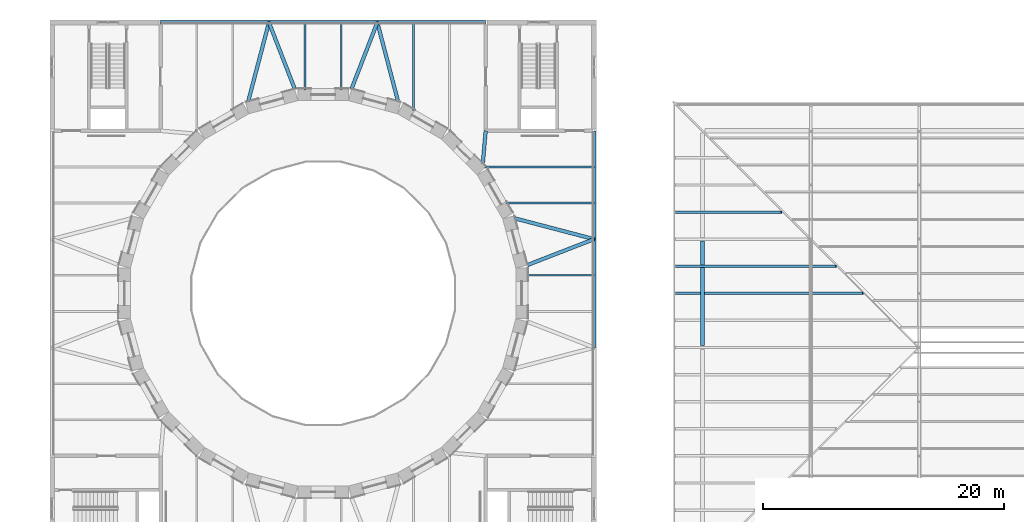
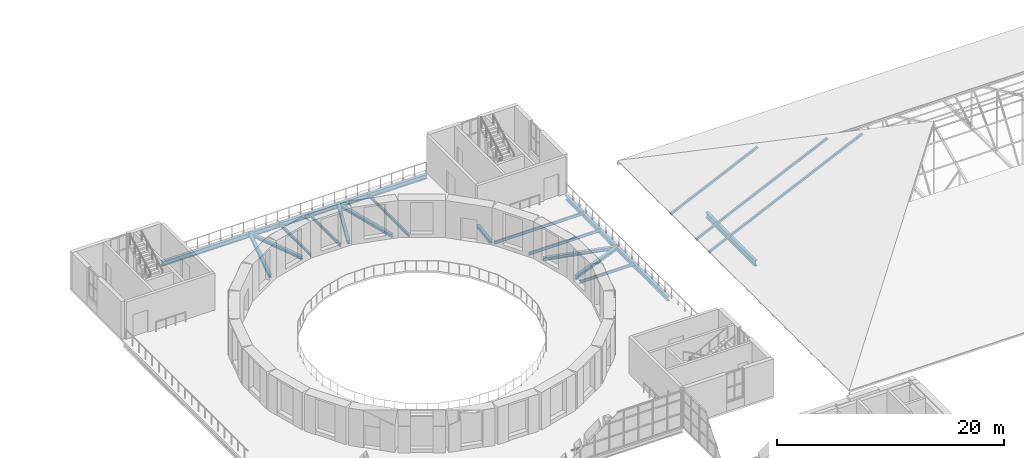
# One storey, part 53 of 154: 19 beams, 3 members.
"""IFC4 building model written with IfcOpenShell, lengths in metres."""

from ifc_helpers import new_model, si_unit, direction, frame, origin, origin_2d, place, context, subcontext, project, spatial, hollow_rectangle, i_section, extrude, material, material_profile, profile_set, type_object, element, save


model = new_model("IFC4")

# Units and contexts
model_context = context("Model", 3, precision=1e-05, world=origin(), true_north=direction((0.0, 1.0)))
body_context = subcontext(model_context, "Body", "Model", "MODEL_VIEW")
ifc_project = project(units=[si_unit("LENGTHUNIT", "METRE"), si_unit("AREAUNIT", "SQUARE_METRE"), si_unit("VOLUMEUNIT", "CUBIC_METRE"), si_unit("PLANEANGLEUNIT", "RADIAN"), si_unit("MASSUNIT", "GRAM", prefix="KILO")], contexts=[model_context])

# Site, building, storey
site_placement = place(None, origin())
site = spatial("IfcSite", under=ifc_project, at=site_placement, CompositionType="ELEMENT")
building_placement = place(site_placement, origin())
building = spatial("IfcBuilding", under=site, at=building_placement, Name="Golden Quay Civic Hall", CompositionType="ELEMENT")
storey_placement = place(building_placement, frame((0.0, 0.0, 14.39990234375)))
storey = spatial("IfcBuildingStorey", under=building, at=storey_placement, Name="L03", CompositionType="ELEMENT", Elevation=14.39990234375)

# Beams
ifc_material_1 = material(Name="Steel S355", Category="steel")
ifc_material_profile_1 = material_profile(ifc_material_1, i_section(OverallWidth=0.300048828125, OverallDepth=0.60009765625, WebThickness=0.015380859375, FlangeThickness=0.030029296875, FilletRadius=0.027099609375, at=origin_2d()), Name="HEB 600")
ifc_profile_set_1 = profile_set([ifc_material_profile_1], Name="Steel S355")
beam_type_1 = type_object("IfcBeamType", Name="Steel eaves girder HEB 600", PredefinedType="BEAM", material=ifc_profile_set_1)
beam_1_placement = place(storey_placement, frame((117.0, 81.14990234375, 0.050048828125), z_axis=(0.0, 1.0, 0.0), x_axis=(-1.0, 0.0, 0.0)))
element("IfcBeam", 1, at=beam_1_placement, inside=storey, type_object=beam_type_1, Name="Eaves girder 117-3 L03", PredefinedType="BEAM", context=body_context, shape_type="SweptSolid", body=[
    extrude(i_section(OverallWidth=0.300048828125, OverallDepth=0.60009765625, WebThickness=0.015380859375, FlangeThickness=0.030029296875, FilletRadius=0.027099609375, at=origin_2d()), origin(), (0.0, 0.0, 1.0), 8.7001953125),
])
ifc_material_2 = material(Name="Steel S355", Category="steel")
ifc_material_profile_2 = material_profile(ifc_material_2, i_section(OverallWidth=0.300048828125, OverallDepth=0.330078125, WebThickness=0.009521484375, FlangeThickness=0.0166015625, FilletRadius=0.027099609375, at=origin_2d()), Name="HEA 340")
ifc_profile_set_2 = profile_set([ifc_material_profile_2], Name="Steel S355")
beam_type_2 = type_object("IfcBeamType", Name="Steel girder HEA 340", PredefinedType="BEAM", material=ifc_profile_set_2)
beam_2_placement = place(storey_placement, frame((81.0, 108.0, -0.414794921875), z_axis=(0.361685544291, -0.932300148585, 0.0), x_axis=(0.932300148585, 0.361685544291, 0.0)))
element("IfcBeam", 2, at=beam_2_placement, inside=storey, type_object=beam_type_2, Name="Radial girder 5", PredefinedType="BEAM", context=body_context, shape_type="SweptSolid", body=[
    extrude(i_section(OverallWidth=0.300048828125, OverallDepth=0.330078125, WebThickness=0.009521484375, FlangeThickness=0.0166015625, FilletRadius=0.027099609375, at=origin_2d()), origin(), (0.0, 0.0, 1.0), 5.9326171875),
])
beam_3_placement = place(storey_placement, frame((81.0, 108.0, -0.414794921875), z_axis=(-0.253712688365, -0.967279624391, 0.0), x_axis=(0.967279624391, -0.253712688365, 0.0)))
element("IfcBeam", 3, at=beam_3_placement, inside=storey, type_object=beam_type_2, Name="Radial girder 6", PredefinedType="BEAM", context=body_context, shape_type="SweptSolid", body=[
    extrude(i_section(OverallWidth=0.300048828125, OverallDepth=0.330078125, WebThickness=0.009521484375, FlangeThickness=0.0166015625, FilletRadius=0.027099609375, at=origin_2d()), origin(), (0.0, 0.0, 1.0), 6.789794921875),
])
beam_4_placement = place(storey_placement, frame((90.0, 108.0, -0.414794921875), z_axis=(-0.361685544291, -0.932300148585, 0.0), x_axis=(0.932300148585, -0.361685544291, 0.0)))
element("IfcBeam", 4, at=beam_4_placement, inside=storey, type_object=beam_type_2, Name="Radial girder 7", PredefinedType="BEAM", context=body_context, shape_type="SweptSolid", body=[
    extrude(i_section(OverallWidth=0.300048828125, OverallDepth=0.330078125, WebThickness=0.009521484375, FlangeThickness=0.0166015625, FilletRadius=0.027099609375, at=origin_2d()), origin(), (0.0, 0.0, 1.0), 5.9326171875),
])
beam_5_placement = place(storey_placement, frame((90.0, 108.0, -0.414794921875), z_axis=(0.253712688365, -0.967279624391, 0.0), x_axis=(0.967279624391, 0.253712688365, 0.0)))
element("IfcBeam", 5, at=beam_5_placement, inside=storey, type_object=beam_type_2, Name="Radial girder 8", PredefinedType="BEAM", context=body_context, shape_type="SweptSolid", body=[
    extrude(i_section(OverallWidth=0.300048828125, OverallDepth=0.330078125, WebThickness=0.009521484375, FlangeThickness=0.0166015625, FilletRadius=0.027099609375, at=origin_2d()), origin(), (0.0, 0.0, 1.0), 6.789794921875),
])
beam_6_placement = place(storey_placement, frame((108.0, 90.0, -0.414794921875), z_axis=(-0.932300148585, -0.361685544291, 0.0), x_axis=(0.361685544291, -0.932300148585, 0.0)))
element("IfcBeam", 6, at=beam_6_placement, inside=storey, type_object=beam_type_2, Name="Radial girder 15", PredefinedType="BEAM", context=body_context, shape_type="SweptSolid", body=[
    extrude(i_section(OverallWidth=0.300048828125, OverallDepth=0.330078125, WebThickness=0.009521484375, FlangeThickness=0.0166015625, FilletRadius=0.027099609375, at=origin_2d()), origin(), (0.0, 0.0, 1.0), 5.9326171875),
])
beam_7_placement = place(storey_placement, frame((108.0, 90.0, -0.414794921875), z_axis=(-0.967279624391, 0.253712688365, 0.0), x_axis=(-0.253712688365, -0.967279624391, 0.0)))
element("IfcBeam", 7, at=beam_7_placement, inside=storey, type_object=beam_type_2, Name="Radial girder 16", PredefinedType="BEAM", context=body_context, shape_type="SweptSolid", body=[
    extrude(i_section(OverallWidth=0.300048828125, OverallDepth=0.330078125, WebThickness=0.009521484375, FlangeThickness=0.0166015625, FilletRadius=0.027099609375, at=origin_2d()), origin(), (0.0, 0.0, 1.0), 6.789794921875),
])
beam_8_placement = place(storey_placement, frame((99.0, 99.0, -0.414794921875), z_axis=(-0.087745016727, -0.996142967671, 0.0), x_axis=(0.996142967671, -0.087745016727, 0.0)))
element("IfcBeam", 8, at=beam_8_placement, inside=storey, type_object=beam_type_2, Name="Radial girder 20", PredefinedType="BEAM", context=body_context, shape_type="SweptSolid", body=[
    extrude(i_section(OverallWidth=0.300048828125, OverallDepth=0.330078125, WebThickness=0.009521484375, FlangeThickness=0.0166015625, FilletRadius=0.027099609375, at=origin_2d()), origin(), (0.0, 0.0, 1.0), 2.7294921875),
])
ifc_material_3 = material(Name="Steel S355", Category="steel")
ifc_material_profile_3 = material_profile(ifc_material_3, i_section(OverallWidth=0.300048828125, OverallDepth=0.489990234375, WebThickness=0.011962890625, FlangeThickness=0.02294921875, FilletRadius=0.027099609375, at=origin_2d()), Name="HEA 500")
ifc_profile_set_3 = profile_set([ifc_material_profile_3], Name="Steel S355")
beam_type_3 = type_object("IfcBeamType", Name="Steel girder HEA 500", PredefinedType="BEAM", material=ifc_profile_set_3)
for number, where, z_axis, x_axis, name in (
    (9, (72.0, 108.0, -0.494873046875), (1.0, 0.0, 0.0), (0.0, 1.0, 0.0), "Perimeter girder 2"),
    (10, (81.0, 108.0, -0.494873046875), (1.0, 0.0, 0.0), (0.0, 1.0, 0.0), "Perimeter girder 6"),
    (11, (108.0, 81.0, -0.494873046875), (0.0, 1.0, 0.0), (-1.0, 0.0, 0.0), "Perimeter girder 8"),
    (12, (90.0, 108.0, -0.494873046875), (1.0, 0.0, 0.0), (0.0, 1.0, 0.0), "Perimeter girder 10"),
    (13, (108.0, 90.0, -0.494873046875), (0.0, 1.0, 0.0), (-1.0, 0.0, 0.0), "Perimeter girder 12"),
):
    element("IfcBeam", number, at=place(storey_placement, frame(where, z_axis=z_axis, x_axis=x_axis)), inside=storey, type_object=beam_type_3, Name=name, PredefinedType="BEAM", context=body_context, shape_type="SweptSolid", body=[
        extrude(i_section(OverallWidth=0.300048828125, OverallDepth=0.489990234375, WebThickness=0.011962890625, FlangeThickness=0.02294921875, FilletRadius=0.027099609375, at=origin_2d()), origin(), (0.0, 0.0, 1.0), 9.0),
    ])

# Members
ifc_material_4 = material(Name="Steel S355", Category="steel")
ifc_material_profile_4 = material_profile(ifc_material_4, hollow_rectangle(XDim=0.199951171875, YDim=0.199951171875, WallThickness=0.010009765625, at=origin_2d()), Name="SHS 200x200x10")
ifc_profile_set_4 = profile_set([ifc_material_profile_4], Name="Steel S355")
member_type = type_object("IfcMemberType", Name="Steel jack rafter SHS 200x200x10", PredefinedType="RAFTER", material=ifc_profile_set_4)
member_1_placement = place(storey_placement, frame((114.699951171875, 85.5, -0.56787109375), z_axis=(0.906311530238, 0.0, 0.422610234326), x_axis=(0.0, 1.0, 0.0)))
element("IfcMember", 14, at=member_1_placement, inside=storey, type_object=member_type, Name="Jack rafter west 10 L03", PredefinedType="RAFTER", context=body_context, shape_type="SweptSolid", body=[
    extrude(hollow_rectangle(XDim=0.199951171875, YDim=0.199951171875, WallThickness=0.010009765625, at=origin_2d()), origin(), (0.0, 0.0, 1.0), 17.240234375),
])
member_2_placement = place(storey_placement, frame((114.699951171875, 87.75, -0.56787109375), z_axis=(0.906309046368, 0.0, 0.422615561086), x_axis=(0.0, 1.0, 0.0)))
element("IfcMember", 15, at=member_2_placement, inside=storey, type_object=member_type, Name="Jack rafter west 11 L03", PredefinedType="RAFTER", context=body_context, shape_type="SweptSolid", body=[
    extrude(hollow_rectangle(XDim=0.199951171875, YDim=0.199951171875, WallThickness=0.010009765625, at=origin_2d()), origin(), (0.0, 0.0, 1.0), 14.757568359375),
])
member_3_placement = place(storey_placement, frame((114.699951171875, 92.25, -0.56787109375), z_axis=(0.906309849576, 0.0, 0.422613838583), x_axis=(0.0, 1.0, 0.0)))
element("IfcMember", 16, at=member_3_placement, inside=storey, type_object=member_type, Name="Jack rafter west 13 L03", PredefinedType="RAFTER", context=body_context, shape_type="SweptSolid", body=[
    extrude(hollow_rectangle(XDim=0.199951171875, YDim=0.199951171875, WallThickness=0.010009765625, at=origin_2d()), origin(), (0.0, 0.0, 1.0), 9.79248046875),
])

# Beams
ifc_material_5 = material(Name="Steel S355", Category="steel")
ifc_material_profile_5 = material_profile(ifc_material_5, i_section(OverallWidth=0.14990234375, OverallDepth=0.300048828125, WebThickness=0.007080078125, FlangeThickness=0.0107421875, FilletRadius=0.014892578125, at=origin_2d()), Name="IPE 300")
ifc_profile_set_5 = profile_set([ifc_material_profile_5], Name="Steel S355")
beam_type_4 = type_object("IfcBeamType", Name="Steel joist IPE 300", PredefinedType="JOIST", material=ifc_profile_set_5)
for number, where, z_axis, x_axis, name in (
    (17, (84.0, 108.0, -0.39990234375), (0.0, -1.0, 0.0), (1.0, 0.0, 0.0), "Floor joist 9"),
    (18, (87.0, 108.0, -0.39990234375), (0.0, -1.0, 0.0), (1.0, 0.0, 0.0), "Floor joist 10"),
):
    element("IfcBeam", number, at=place(storey_placement, frame(where, z_axis=z_axis, x_axis=x_axis)), inside=storey, type_object=beam_type_4, Name=name, PredefinedType="JOIST", context=body_context, shape_type="SweptSolid", body=[
        extrude(i_section(OverallWidth=0.14990234375, OverallDepth=0.300048828125, WebThickness=0.007080078125, FlangeThickness=0.0107421875, FilletRadius=0.014892578125, at=origin_2d()), origin(), (0.0, 0.0, 1.0), 5.60009765625),
    ])
beam_9_placement = place(storey_placement, frame((93.0, 108.0, -0.39990234375), z_axis=(0.0, -1.0, 0.0), x_axis=(1.0, 0.0, 0.0)))
element("IfcBeam", 19, at=beam_9_placement, inside=storey, type_object=beam_type_4, Name="Floor joist 11", PredefinedType="JOIST", context=body_context, shape_type="SweptSolid", body=[
    extrude(i_section(OverallWidth=0.14990234375, OverallDepth=0.300048828125, WebThickness=0.007080078125, FlangeThickness=0.0107421875, FilletRadius=0.014892578125, at=origin_2d()), origin(), (0.0, 0.0, 1.0), 7.315673828125),
])
beam_10_placement = place(storey_placement, frame((108.0, 87.0, -0.39990234375), z_axis=(-1.0, 0.0, 0.0), x_axis=(0.0, -1.0, 0.0)))
element("IfcBeam", 20, at=beam_10_placement, inside=storey, type_object=beam_type_4, Name="Floor joist 22", PredefinedType="JOIST", context=body_context, shape_type="SweptSolid", body=[
    extrude(i_section(OverallWidth=0.14990234375, OverallDepth=0.300048828125, WebThickness=0.007080078125, FlangeThickness=0.0107421875, FilletRadius=0.014892578125, at=origin_2d()), origin(), (0.0, 0.0, 1.0), 5.60009765625),
])
beam_11_placement = place(storey_placement, frame((108.0, 93.0, -0.39990234375), z_axis=(-1.0, 0.0, 0.0), x_axis=(0.0, -1.0, 0.0)))
element("IfcBeam", 21, at=beam_11_placement, inside=storey, type_object=beam_type_4, Name="Floor joist 23", PredefinedType="JOIST", context=body_context, shape_type="SweptSolid", body=[
    extrude(i_section(OverallWidth=0.14990234375, OverallDepth=0.300048828125, WebThickness=0.007080078125, FlangeThickness=0.0107421875, FilletRadius=0.014892578125, at=origin_2d()), origin(), (0.0, 0.0, 1.0), 7.315673828125),
])
beam_12_placement = place(storey_placement, frame((108.0, 96.0, -0.39990234375), z_axis=(-1.0, 0.0, 0.0), x_axis=(0.0, -1.0, 0.0)))
element("IfcBeam", 22, at=beam_12_placement, inside=storey, type_object=beam_type_4, Name="Floor joist 24", PredefinedType="JOIST", context=body_context, shape_type="SweptSolid", body=[
    extrude(i_section(OverallWidth=0.14990234375, OverallDepth=0.300048828125, WebThickness=0.007080078125, FlangeThickness=0.0107421875, FilletRadius=0.014892578125, at=origin_2d()), origin(), (0.0, 0.0, 1.0), 9.099853515625),
])

save(model, "model.ifc")
